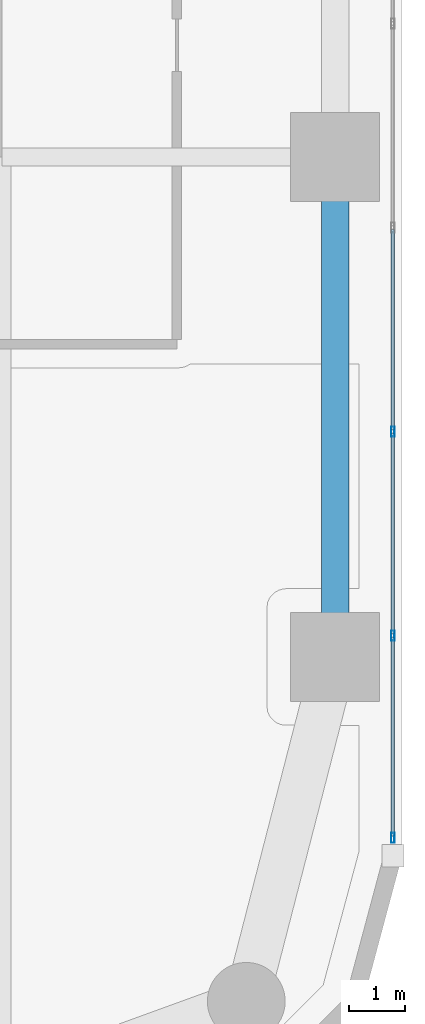
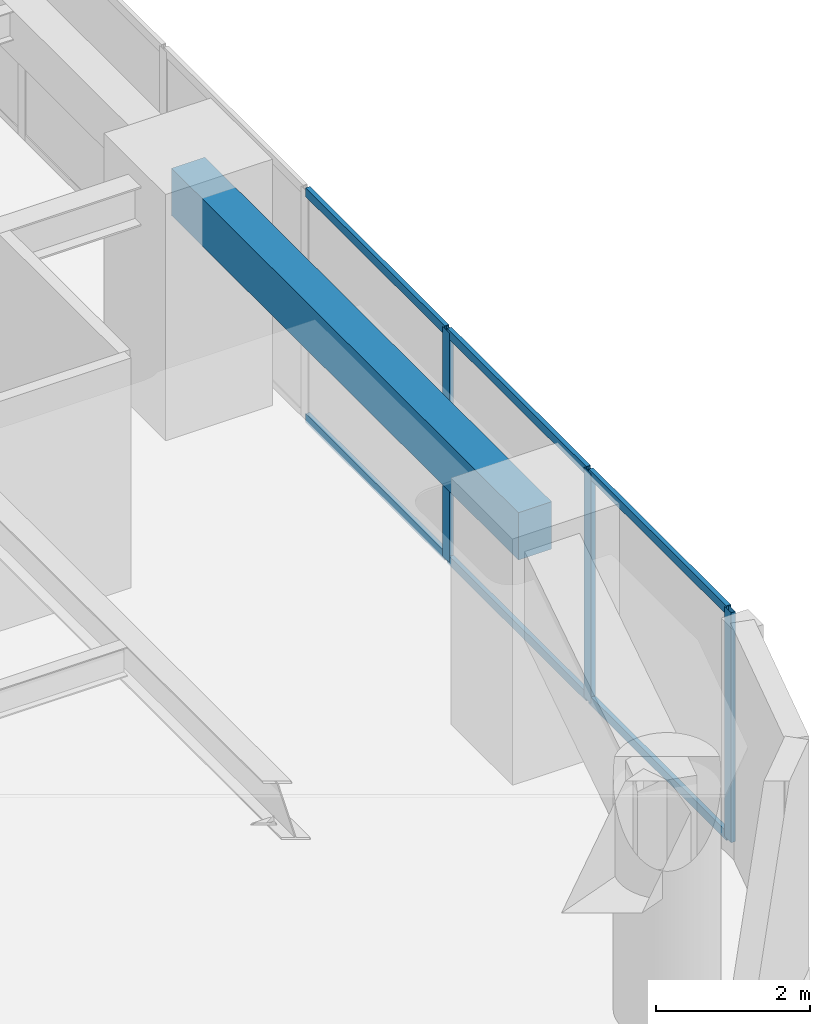
# One storey, part 4 of 24: 9 members, 1 beam, 1 element without a shape of its own.
"""IFC4 building model written with IfcOpenShell, lengths in metres."""

from ifc_helpers import new_model, si_unit, direction, frame, origin, origin_2d, place, context, subcontext, project, spatial, rectangle, hollow_rectangle, extrude, material, layer, layer_set, material_profile, profile_set, type_object, element, aggregate, save


model = new_model("IFC4")

# Units and contexts
model_context = context("Model", 3, precision=1e-05, world=origin(), true_north=direction((0.0, 1.0)))
body_context = subcontext(model_context, "Body", "Model", "MODEL_VIEW")
ifc_project = project(units=[si_unit("LENGTHUNIT", "METRE"), si_unit("AREAUNIT", "SQUARE_METRE"), si_unit("VOLUMEUNIT", "CUBIC_METRE"), si_unit("PLANEANGLEUNIT", "RADIAN"), si_unit("MASSUNIT", "GRAM", prefix="KILO")], contexts=[model_context])

# Site, building, storey
site_placement = place(None, origin())
site = spatial("IfcSite", under=ifc_project, at=site_placement, CompositionType="ELEMENT")
building_placement = place(site_placement, origin())
building = spatial("IfcBuilding", under=site, at=building_placement, Name="Kiyonajd Concourse Tower", CompositionType="ELEMENT")
storey_placement = place(building_placement, frame((0.0, 0.0, 89.699951171875)))
storey = spatial("IfcBuildingStorey", under=building, at=storey_placement, Name="L23", CompositionType="ELEMENT", Elevation=89.699951171875)

# Beam
ifc_material_1 = material(Name="Precast concrete C50/60", Category="concrete")
ifc_material_profile_1 = material_profile(ifc_material_1, rectangle(XDim=0.5, YDim=0.75, at=origin_2d()), Name="RCBM-500x750")
ifc_profile_set_1 = profile_set([ifc_material_profile_1], Name="Precast concrete C50/60")
beam_type = type_object("IfcBeamType", Name="BM-SPAN-RC", PredefinedType="SPANDREL", material=ifc_profile_set_1)
beam_placement = place(storey_placement, frame((69.60009765625, 18.60009765625, 3.26513671875), z_axis=(0.0, 1.0, 0.0), x_axis=(-1.0, 0.0, 0.0)))
element("IfcBeam", 1, at=beam_placement, inside=storey, type_object=beam_type, Name="L23 Perimeter Bundled Tube Spandrel", PredefinedType="SPANDREL", context=body_context, shape_type="SweptSolid", body=[
    extrude(rectangle(XDim=0.5, YDim=0.75, at=origin_2d()), origin(), (0.0, 0.0, 1.0), 9.0),
])

# Curtain wall, members
ifc_material_2 = material(Name="Thermally Broken Anodised Aluminium", Category="aluminium")
ifc_layer = layer(ifc_material_2, 0.179931640625)
ifc_layer_set = layer_set([ifc_layer], Name="Thermally Broken Anodised Aluminium")
curtain_wall_type = type_object("IfcCurtainWallType", Name="CW-SYS-03", PredefinedType="NOTDEFINED", material=ifc_layer_set)
curtain_wall_placement = place(storey_placement, origin())
curtain_wall = element("IfcCurtainWall", 2, at=curtain_wall_placement, inside=storey, type_object=curtain_wall_type, Name="L23 Unitised Curtain Wall CW3", PredefinedType="NOTDEFINED")
ifc_material_profile_2 = material_profile(ifc_material_2, hollow_rectangle(XDim=0.06494140625, YDim=0.179931640625, WallThickness=0.00390625, at=origin_2d()), Name="MULL-65x180")
ifc_profile_set_2 = profile_set([ifc_material_profile_2], Name="Thermally Broken Anodised Aluminium")
member_type_1 = type_object("IfcMemberType", Name="MB-CW-MULL1", PredefinedType="MULLION", material=ifc_profile_set_2)
member_1_placement = place(storey_placement, frame((70.639892578125, 22.657470703125, 0.0), z_axis=(0.0, 0.0, 1.0), x_axis=(1.0, 0.0, 0.0)))
member_1 = element("IfcMember", 3, at=member_1_placement, type_object=member_type_1, Name="CW3 mullion 5", PredefinedType="MULLION", context=body_context, shape_type="SweptSolid", body=[
    extrude(hollow_rectangle(XDim=0.06494140625, YDim=0.179931640625, WallThickness=0.00390625, at=origin_2d()), origin(), (0.0, 0.0, 1.0), 3.64013671875),
])
member_2_placement = place(storey_placement, frame((70.639892578125, 18.984130859375, 0.0), z_axis=(0.0, 0.0, 1.0), x_axis=(1.0, 0.0, 0.0)))
member_2 = element("IfcMember", 4, at=member_2_placement, type_object=member_type_1, Name="CW3 mullion 6", PredefinedType="MULLION", context=body_context, shape_type="SweptSolid", body=[
    extrude(hollow_rectangle(XDim=0.06494140625, YDim=0.179931640625, WallThickness=0.00390625, at=origin_2d()), origin(), (0.0, 0.0, 1.0), 3.64013671875),
])
member_3_placement = place(storey_placement, frame((70.639892578125, 15.343505859375, 0.0), z_axis=(0.0, 0.0, 1.0), x_axis=(1.0, 0.0, 0.0)))
member_3 = element("IfcMember", 5, at=member_3_placement, type_object=member_type_1, Name="CW3 mullion 7", PredefinedType="MULLION", context=body_context, shape_type="SweptSolid", body=[
    extrude(hollow_rectangle(XDim=0.06494140625, YDim=0.179931640625, WallThickness=0.00390625, at=origin_2d()), origin(), (0.0, 0.0, 1.0), 3.64013671875),
])
ifc_material_profile_3 = material_profile(ifc_material_2, hollow_rectangle(XDim=0.06494140625, YDim=0.139892578125, WallThickness=0.00390625, at=origin_2d()), Name="TRAN-65x140")
ifc_profile_set_3 = profile_set([ifc_material_profile_3], Name="Thermally Broken Anodised Aluminium")
member_type_2 = type_object("IfcMemberType", Name="MB-CW-TRAN1", PredefinedType="USERDEFINED", material=ifc_profile_set_3)
member_4_placement = place(storey_placement, frame((70.639892578125, 26.298095703125, 0.032470703125), z_axis=(0.0, -1.0, 0.0), x_axis=(1.0, 0.0, 0.0)))
member_4 = element("IfcMember", 6, at=member_4_placement, type_object=member_type_2, Name="CW3 transom 4.1", ObjectType="TRANSOM", PredefinedType="USERDEFINED", context=body_context, shape_type="SweptSolid", body=[
    extrude(hollow_rectangle(XDim=0.06494140625, YDim=0.139892578125, WallThickness=0.00390625, at=origin_2d()), origin(), (0.0, 0.0, 1.0), 3.608154296875),
])
member_5_placement = place(storey_placement, frame((70.639892578125, 26.298095703125, 3.607666015625), z_axis=(0.0, -1.0, 0.0), x_axis=(1.0, 0.0, 0.0)))
member_5 = element("IfcMember", 7, at=member_5_placement, type_object=member_type_2, Name="CW3 transom 4.2", ObjectType="TRANSOM", PredefinedType="USERDEFINED", context=body_context, shape_type="SweptSolid", body=[
    extrude(hollow_rectangle(XDim=0.06494140625, YDim=0.139892578125, WallThickness=0.00390625, at=origin_2d()), origin(), (0.0, 0.0, 1.0), 3.608154296875),
])
member_6_placement = place(storey_placement, frame((70.639892578125, 22.625, 0.032470703125), z_axis=(0.0, -1.0, 0.0), x_axis=(1.0, 0.0, 0.0)))
member_6 = element("IfcMember", 8, at=member_6_placement, type_object=member_type_2, Name="CW3 transom 5.1", ObjectType="TRANSOM", PredefinedType="USERDEFINED", context=body_context, shape_type="SweptSolid", body=[
    extrude(hollow_rectangle(XDim=0.06494140625, YDim=0.139892578125, WallThickness=0.00390625, at=origin_2d()), origin(), (0.0, 0.0, 1.0), 3.608154296875),
])
member_7_placement = place(storey_placement, frame((70.639892578125, 22.625, 3.607666015625), z_axis=(0.0, -1.0, 0.0), x_axis=(1.0, 0.0, 0.0)))
member_7 = element("IfcMember", 9, at=member_7_placement, type_object=member_type_2, Name="CW3 transom 5.2", ObjectType="TRANSOM", PredefinedType="USERDEFINED", context=body_context, shape_type="SweptSolid", body=[
    extrude(hollow_rectangle(XDim=0.06494140625, YDim=0.139892578125, WallThickness=0.00390625, at=origin_2d()), origin(), (0.0, 0.0, 1.0), 3.608154296875),
])
member_8_placement = place(storey_placement, frame((70.639892578125, 18.95166015625, 0.032470703125), z_axis=(0.0, -1.0, 0.0), x_axis=(1.0, 0.0, 0.0)))
member_8 = element("IfcMember", 10, at=member_8_placement, type_object=member_type_2, Name="CW3 transom 6.1", ObjectType="TRANSOM", PredefinedType="USERDEFINED", context=body_context, shape_type="SweptSolid", body=[
    extrude(hollow_rectangle(XDim=0.06494140625, YDim=0.139892578125, WallThickness=0.00390625, at=origin_2d()), origin(), (0.0, 0.0, 1.0), 3.575439453125),
])
member_9_placement = place(storey_placement, frame((70.639892578125, 18.95166015625, 3.607666015625), z_axis=(0.0, -1.0, 0.0), x_axis=(1.0, 0.0, 0.0)))
member_9 = element("IfcMember", 11, at=member_9_placement, type_object=member_type_2, Name="CW3 transom 6.2", ObjectType="TRANSOM", PredefinedType="USERDEFINED", context=body_context, shape_type="SweptSolid", body=[
    extrude(hollow_rectangle(XDim=0.06494140625, YDim=0.139892578125, WallThickness=0.00390625, at=origin_2d()), origin(), (0.0, 0.0, 1.0), 3.575439453125),
])
aggregate(curtain_wall, [member_1, member_2, member_3, member_4, member_5, member_6, member_7, member_8, member_9])

save(model, "model.ifc")
